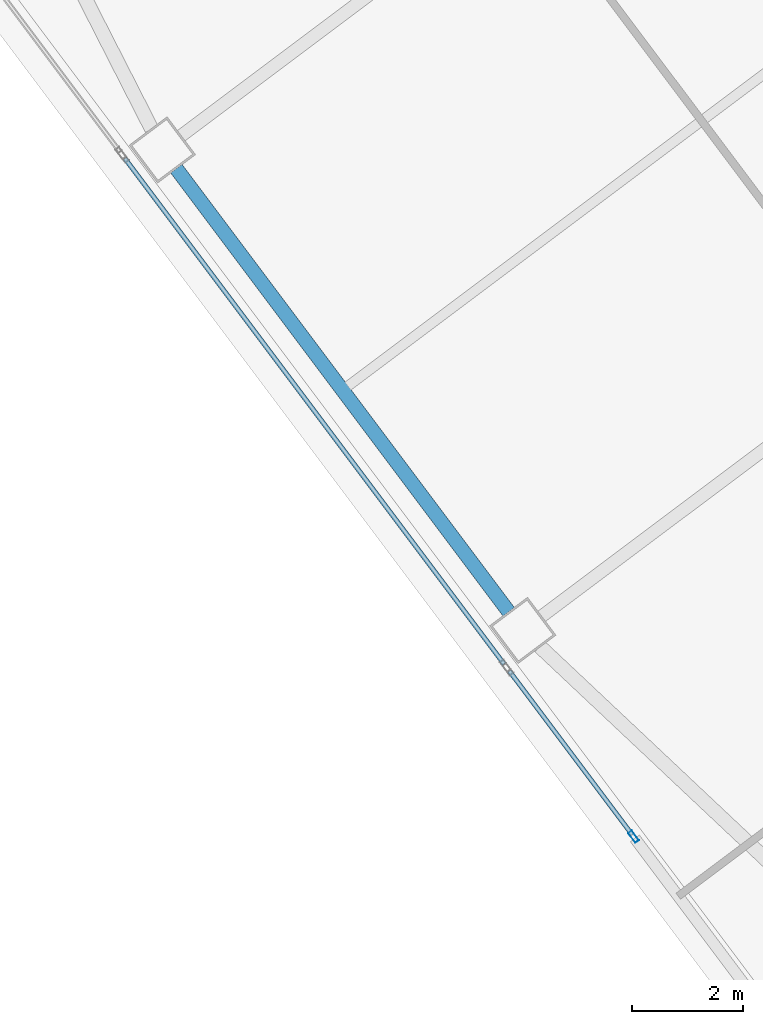
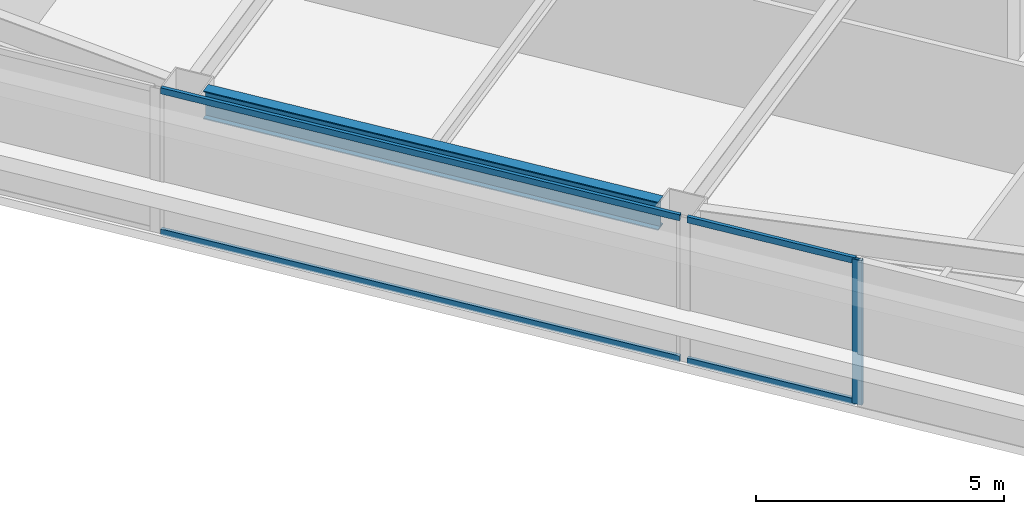
# One storey, part 18 of 44: 5 members, 1 beam, 2 elements without a shape of their own.
"""IFC4 building model written with IfcOpenShell, lengths in metres."""

import ifcopenshell
import ifcopenshell.guid

model = None  # the IFC model being written
_history = None  # IfcOwnerHistory: only IFC2X3 demands one
_inside = {}  # id of a spatial element -> (the spatial element, [elements in it])
_under = {}  # id of a project, library or spatial element -> (it, [spatial elements below it])
_declared = {}  # id of a project -> (the project, [libraries it declares])
_typed = {}  # id of a type object -> (the type object, [elements of that type])
_made_of = {}  # id of a material, layer set ... -> (it, [elements and type objects made of it])


def new_model(schema):
    """Start an empty IFC model of exactly this schema.

    Asked for "IFC4X3", IfcOpenShell would pick the latest addendum, in which some entities
    have other attributes; the version numbers below select the first issue.
    IFC2X3 requires an IfcOwnerHistory on every rooted entity: one is made here for all.
    """
    global model, _history
    if schema == "IFC4X3":
        model = ifcopenshell.file(schema_version=(4, 3, 0, 0))
    else:
        model = ifcopenshell.file(schema=schema)
    _inside.clear()
    _under.clear()
    _declared.clear()
    _typed.clear()
    _made_of.clear()
    _history = None
    if model.schema == "IFC2X3":
        org = make("IfcOrganization", Name="unknown")
        user = make(
            "IfcPersonAndOrganization",
            ThePerson=make("IfcPerson", FamilyName="unknown"),
            TheOrganization=org,
        )
        app = make(
            "IfcApplication",
            ApplicationDeveloper=org,
            Version="unknown",
            ApplicationFullName="unknown",
            ApplicationIdentifier="unknown",
        )
        _history = make(
            "IfcOwnerHistory",
            OwningUser=user,
            OwningApplication=app,
            ChangeAction="ADDED",
            CreationDate=0,
        )
    return model


def make(cls, **values):
    """One entity of the class cls with the attributes given. An attribute that is None is left unset."""
    return model.create_entity(
        cls, **{name: value for name, value in values.items() if value is not None}
    )


def rooted(cls, **values):
    """An entity with a GlobalId (a new one), such as an element, a storey or a relation."""
    return make(cls, GlobalId=ifcopenshell.guid.new(), OwnerHistory=_history, **values)


def si_unit(unit_type, name, prefix=None):
    """IfcSIUnit, for example si_unit("LENGTHUNIT", "METRE", prefix="MILLI")."""
    return make("IfcSIUnit", UnitType=unit_type, Prefix=prefix, Name=name)


def assignment(units):
    """IfcUnitAssignment: the units of a project."""
    return None if units is None else make("IfcUnitAssignment", Units=units)


def point(xyz):
    """IfcCartesianPoint."""
    return None if xyz is None else make("IfcCartesianPoint", Coordinates=xyz)


def direction(xyz):
    """IfcDirection."""
    return None if xyz is None else make("IfcDirection", DirectionRatios=xyz)


def frame(location, z_axis=None, x_axis=None):
    """IfcAxis2Placement3D, a coordinate frame: its origin and axes. An axis left out is left unset."""
    return make(
        "IfcAxis2Placement3D",
        Location=point(location),
        Axis=direction(z_axis),
        RefDirection=direction(x_axis),
    )


def frame_2d(location, x_axis=None):
    """IfcAxis2Placement2D, a coordinate frame in the plane: its origin and x axis."""
    return make(
        "IfcAxis2Placement2D", Location=point(location), RefDirection=direction(x_axis)
    )


def origin():
    """The frame at (0, 0, 0) with its axes left unset."""
    return frame((0.0, 0.0, 0.0))


def origin_2d():
    """The frame at (0, 0) in the plane with its x axis left unset."""
    return frame_2d((0.0, 0.0))


def place(relative_to, where):
    """IfcLocalPlacement: puts the frame where relative to a parent placement (None: the world)."""
    return make(
        "IfcLocalPlacement", PlacementRelTo=relative_to, RelativePlacement=where
    )


def context(
    kind, dimensions, precision=None, world=None, true_north=None, identifier=None
):
    """IfcGeometricRepresentationContext, for example the 3D "Model" context."""
    return make(
        "IfcGeometricRepresentationContext",
        ContextIdentifier=identifier,
        ContextType=kind,
        CoordinateSpaceDimension=dimensions,
        Precision=precision,
        WorldCoordinateSystem=world,
        TrueNorth=true_north,
    )


def subcontext(parent, identifier, kind, view, scale=None):
    """IfcGeometricRepresentationSubContext, for example "Body" below "Model"."""
    return make(
        "IfcGeometricRepresentationSubContext",
        ContextIdentifier=identifier,
        ContextType=kind,
        ParentContext=parent,
        TargetScale=scale,
        TargetView=view,
    )


def project(units=None, contexts=None):
    """IfcProject with its units and contexts."""
    return rooted(
        "IfcProject",
        Name="project",
        RepresentationContexts=contexts,
        UnitsInContext=assignment(units),
    )


def spatial(cls, under=None, at=None, **own):
    """A site, building, storey or space (cls), placed at a placement, below another one or the project."""
    s = rooted(cls, ObjectPlacement=at, **own)
    if under is not None:
        _under.setdefault(under.id(), (under, []))[1].append(s)
    return s


def profile(cls, at=None, kind="AREA", **sizes):
    """A parametric profile (cls). Its sizes go by their IFC names, for example OverallWidth=200.0."""
    return make(cls, ProfileType=kind, Position=at, **sizes)


def hollow_rectangle(**sizes):
    """IfcRectangleHollowProfileDef."""
    return profile("IfcRectangleHollowProfileDef", **sizes)


def i_section(**sizes):
    """IfcIShapeProfileDef."""
    return profile("IfcIShapeProfileDef", **sizes)


def extrude(swept, where, along, depth):
    """IfcExtrudedAreaSolid: the profile swept, set in the frame where, extruded along a direction by depth."""
    return make(
        "IfcExtrudedAreaSolid",
        SweptArea=swept,
        Position=where,
        ExtrudedDirection=direction(along),
        Depth=depth,
    )


def shape(context_of_items, identifier, shape_type, items):
    """IfcShapeRepresentation: the items that make up one representation, for example the "Body"."""
    return make(
        "IfcShapeRepresentation",
        ContextOfItems=context_of_items,
        RepresentationIdentifier=identifier,
        RepresentationType=shape_type,
        Items=items,
    )


def material(Name=None, Category=None):
    """IfcMaterial."""
    return make("IfcMaterial", Name=Name, Category=Category)


def material_profile(
    of_material, cross_section, Name=None, Category=None, Priority=None
):
    """IfcMaterialProfile: a cross section and its material."""
    return make(
        "IfcMaterialProfile",
        Name=Name,
        Material=of_material,
        Profile=cross_section,
        Priority=Priority,
        Category=Category,
    )


def profile_set(profiles, Name=None, composite=None):
    """IfcMaterialProfileSet."""
    return make(
        "IfcMaterialProfileSet",
        Name=Name,
        MaterialProfiles=profiles,
        CompositeProfile=composite,
    )


def made_of(thing, what):
    """Note that an element or type object is made of a material, layer set ...; save() writes the relation."""
    if what is not None:
        _made_of.setdefault(what.id(), (what, []))[1].append(thing)
    return thing


def type_object(cls, material=None, **own):
    """A type object (cls), such as IfcWallType, which elements share."""
    return made_of(rooted(cls, **own), material)


def element(
    cls,
    number,
    at=None,
    inside=None,
    cuts=None,
    type_object=None,
    material=None,
    context=None,
    identifier="Body",
    shape_type=None,
    held_by="IfcProductDefinitionShape",
    body=None,
    shapes=None,
    **own,
):
    """One element of the class cls, such as IfcWall. Its Tag is "e" and its number.

    at: its placement. inside: the storey or other place that contains it. cuts: it is an
    opening in that element (IfcRelVoidsElement). A single representation is given by context,
    identifier, shape_type and body (its items); several are given by shapes. held_by: the class
    of the entity that holds the representations. save() writes the other relations.
    """
    e = rooted(cls, Tag="e%d" % number, ObjectPlacement=at, **own)
    if body is not None:
        shapes = [shape(context, identifier, shape_type, body)]
    if shapes is not None:
        e.Representation = make(held_by, Representations=shapes)
    if inside is not None:
        _inside.setdefault(inside.id(), (inside, []))[1].append(e)
    if cuts is not None:
        rooted(
            "IfcRelVoidsElement", RelatingBuildingElement=cuts, RelatedOpeningElement=e
        )
    if type_object is not None:
        _typed.setdefault(type_object.id(), (type_object, []))[1].append(e)
    return made_of(e, material)


def aggregate(whole, parts):
    """IfcRelAggregates: a whole, such as a stair, and the parts it consists of."""
    return rooted("IfcRelAggregates", RelatingObject=whole, RelatedObjects=parts)


def save(model, path):
    """Write the relations noted so far, then the file.

    IfcRelAggregates (storeys below a building ...), IfcRelContainedInSpatialStructure (elements
    in a storey), IfcRelDefinesByType, IfcRelAssociatesMaterial and IfcRelDeclares: one each for
    every whole, place, type object, material and project.
    """
    for whole, parts in _under.values():
        aggregate(whole, parts)
    for where, things in _inside.values():
        rooted(
            "IfcRelContainedInSpatialStructure",
            RelatedElements=things,
            RelatingStructure=where,
        )
    for kind, things in _typed.values():
        rooted("IfcRelDefinesByType", RelatedObjects=things, RelatingType=kind)
    for what, things in _made_of.values():
        rooted("IfcRelAssociatesMaterial", RelatedObjects=things, RelatingMaterial=what)
    for by, libraries in _declared.values():
        rooted("IfcRelDeclares", RelatingContext=by, RelatedDefinitions=libraries)
    model.write(path)


model = new_model("IFC4")

# Units and contexts
model_context = context("Model", 3, precision=1e-05, world=origin(), true_north=direction((0.0, 1.0)))
body_context = subcontext(model_context, "Body", "Model", "MODEL_VIEW")
ifc_project = project(units=[si_unit("LENGTHUNIT", "METRE"), si_unit("AREAUNIT", "SQUARE_METRE"), si_unit("VOLUMEUNIT", "CUBIC_METRE"), si_unit("PLANEANGLEUNIT", "RADIAN"), si_unit("MASSUNIT", "GRAM", prefix="KILO")], contexts=[model_context])

# Site, building, storey
site_placement = place(None, origin())
site = spatial("IfcSite", under=ifc_project, at=site_placement, CompositionType="ELEMENT")
building_placement = place(site_placement, origin())
building = spatial("IfcBuilding", under=site, at=building_placement, Name="Tashvorn Skyway Center", CompositionType="ELEMENT")
storey_placement = place(building_placement, frame((0.0, 0.0, 74.300048828125)))
storey = spatial("IfcBuildingStorey", under=building, at=storey_placement, Name="L19", CompositionType="ELEMENT", Elevation=74.300048828125)

# Beam
ifc_material_1 = material(Name="Steel ASTM A992 Grade 50", Category="steel")
ifc_material_profile_1 = material_profile(ifc_material_1, i_section(OverallWidth=0.256103515625, OverallDepth=0.693115234375, WebThickness=0.014404296875, FlangeThickness=0.023681640625, at=origin_2d()), Name="W27X114")
ifc_profile_set_1 = profile_set([ifc_material_profile_1], Name="Steel ASTM A992 Grade 50")
beam_type = type_object("IfcBeamType", Name="BM-SPANDREL-W27X114", PredefinedType="SPANDREL", material=ifc_profile_set_1)
beam_placement = place(storey_placement, frame((95.612060546875, 24.43408203125, 3.00341796875), z_axis=(0.599988234018, -0.800008824351, 0.0), x_axis=(0.800008824351, 0.599988234018, 0.0)))
element("IfcBeam", 1, at=beam_placement, inside=storey, type_object=beam_type, Name="Tower 2 L19 Spandrel Beam 11", PredefinedType="SPANDREL", context=body_context, shape_type="SweptSolid", body=[
    extrude(i_section(OverallWidth=0.256103515625, OverallDepth=0.693115234375, WebThickness=0.014404296875, FlangeThickness=0.023681640625, at=origin_2d()), origin(), (0.0, 0.0, 1.0), 9.9599609375),
])

# Curtain wall, members
ifc_material_2 = material(Name="Thermally broken bronze-anodized aluminium 6063-T6", Category="aluminium")
curtain_wall_type = type_object("IfcCurtainWallType", Name="CW-CW-Z2", PredefinedType="NOTDEFINED", material=ifc_material_2)
curtain_wall_1_placement = place(storey_placement, origin())
curtain_wall_1 = element("IfcCurtainWall", 2, at=curtain_wall_1_placement, inside=storey, type_object=curtain_wall_type, Name="Tower 2 L19 West Unitised Curtain Wall Glazing Group 1", PredefinedType="NOTDEFINED")
ifc_material_profile_2 = material_profile(ifc_material_2, hollow_rectangle(XDim=0.080078125, YDim=0.219970703125, WallThickness=0.0048828125, at=origin_2d()), Name="ALU-MULL-80x220")
ifc_profile_set_2 = profile_set([ifc_material_profile_2], Name="Thermally broken bronze-anodized aluminium 6063-T6")
member_type_1 = type_object("IfcMemberType", Name="CWM-CW-Z2", PredefinedType="MULLION", material=ifc_profile_set_2)
member_1_placement = place(storey_placement, frame((103.83203125, 12.424072265625, 0.0), z_axis=(0.0, 0.0, 1.0), x_axis=(-0.799999999998, -0.600000000002, 0.0)))
member_1 = element("IfcMember", 3, at=member_1_placement, type_object=member_type_1, Name="CW-Z2 mullion 1", PredefinedType="MULLION", context=body_context, shape_type="SweptSolid", body=[
    extrude(hollow_rectangle(XDim=0.080078125, YDim=0.219970703125, WallThickness=0.0048828125, at=origin_2d()), origin(), (0.0, 0.0, 1.0), 3.550048828125),
])
ifc_material_profile_3 = material_profile(ifc_material_2, hollow_rectangle(XDim=0.080078125, YDim=0.14990234375, WallThickness=0.00439453125, at=origin_2d()), Name="ALU-TRAN-80x150")
ifc_profile_set_3 = profile_set([ifc_material_profile_3], Name="Thermally broken bronze-anodized aluminium 6063-T6")
member_type_2 = type_object("IfcMemberType", Name="CWT-CW-Z2", PredefinedType="USERDEFINED", material=ifc_profile_set_3)
member_2_placement = place(storey_placement, frame((103.80810546875, 12.4560546875, 0.0400390625), z_axis=(-0.600021230084, 0.799984076997, 0.0), x_axis=(-0.799984076997, -0.600021230084, 0.0)))
member_2 = element("IfcMember", 4, at=member_2_placement, type_object=member_type_2, Name="CW-Z2 transom 1.1", ObjectType="TRANSOM", PredefinedType="USERDEFINED", context=body_context, shape_type="SweptSolid", body=[
    extrude(hollow_rectangle(XDim=0.080078125, YDim=0.14990234375, WallThickness=0.00439453125, at=origin_2d()), origin(), (0.0, 0.0, 1.0), 3.679931640625),
])
member_3_placement = place(storey_placement, frame((103.80810546875, 12.4560546875, 3.510009765625), z_axis=(-0.600021230084, 0.799984076997, 0.0), x_axis=(-0.799984076997, -0.600021230084, 0.0)))
member_3 = element("IfcMember", 5, at=member_3_placement, type_object=member_type_2, Name="CW-Z2 transom 1.2", ObjectType="TRANSOM", PredefinedType="USERDEFINED", context=body_context, shape_type="SweptSolid", body=[
    extrude(hollow_rectangle(XDim=0.080078125, YDim=0.14990234375, WallThickness=0.00439453125, at=origin_2d()), origin(), (0.0, 0.0, 1.0), 3.679931640625),
])
aggregate(curtain_wall_1, [member_1, member_2, member_3])

curtain_wall_2_placement = place(storey_placement, origin())
curtain_wall_2 = element("IfcCurtainWall", 6, at=curtain_wall_2_placement, inside=storey, type_object=curtain_wall_type, Name="Tower 2 L19 West Unitised Curtain Wall Glazing Group 2", PredefinedType="NOTDEFINED")
member_4_placement = place(storey_placement, frame((101.50390625, 15.528076171875, 0.0400390625), z_axis=(-0.6, 0.8, 0.0), x_axis=(-0.8, -0.6, 0.0)))
member_4 = element("IfcMember", 7, at=member_4_placement, type_object=member_type_2, Name="CW-Z2 transom 1.1", ObjectType="TRANSOM", PredefinedType="USERDEFINED", context=body_context, shape_type="SweptSolid", body=[
    extrude(hollow_rectangle(XDim=0.080078125, YDim=0.14990234375, WallThickness=0.00439453125, at=origin_2d()), origin(), (0.0, 0.0, 1.0), 11.35986328125),
])
member_5_placement = place(storey_placement, frame((101.50390625, 15.528076171875, 3.510009765625), z_axis=(-0.6, 0.8, 0.0), x_axis=(-0.8, -0.6, 0.0)))
member_5 = element("IfcMember", 8, at=member_5_placement, type_object=member_type_2, Name="CW-Z2 transom 1.2", ObjectType="TRANSOM", PredefinedType="USERDEFINED", context=body_context, shape_type="SweptSolid", body=[
    extrude(hollow_rectangle(XDim=0.080078125, YDim=0.14990234375, WallThickness=0.00439453125, at=origin_2d()), origin(), (0.0, 0.0, 1.0), 11.35986328125),
])
aggregate(curtain_wall_2, [member_4, member_5])

save(model, "model.ifc")
